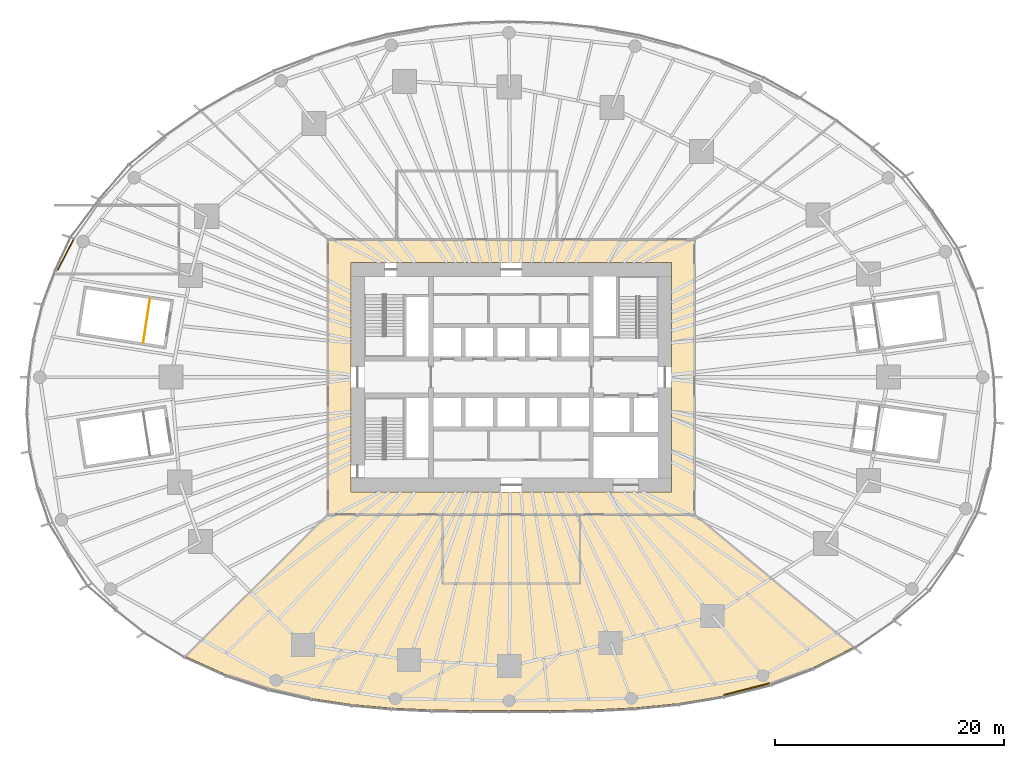
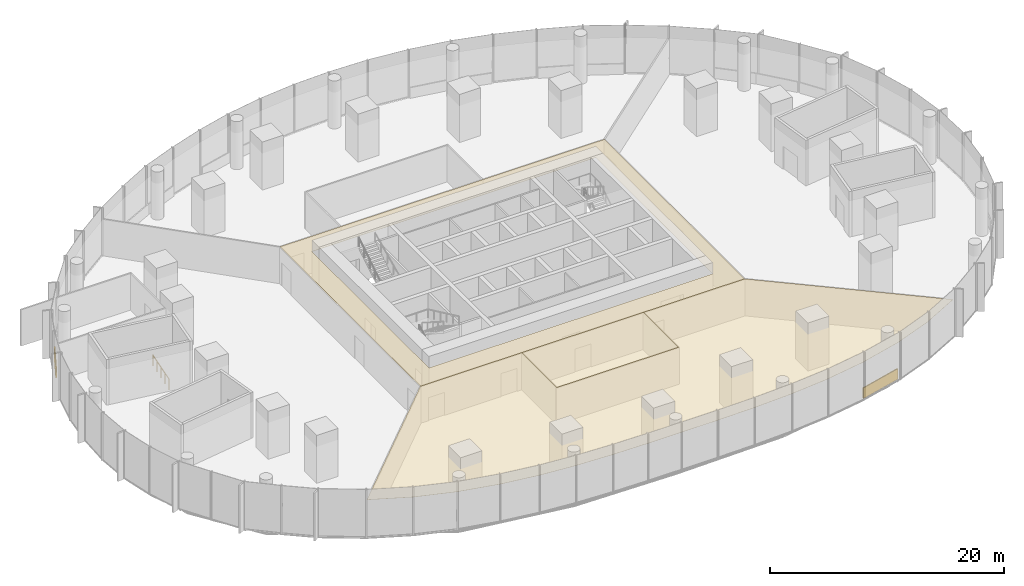
# One storey, part 24 of 27: 5 coverings, 1 railing.
"""IFC4 building model written with IfcOpenShell, lengths in metres."""

from ifc_helpers import new_model, si_unit, direction, frame, origin, origin_2d, place, context, subcontext, project, spatial, polyline, rectangle, circle, outline, extrude, material, layer, layer_set, type_object, element, save


model = new_model("IFC4")

# Units and contexts
model_context = context("Model", 3, precision=1e-05, world=origin(), true_north=direction((0.0, 1.0)))
body_context = subcontext(model_context, "Body", "Model", "MODEL_VIEW")
ifc_project = project(units=[si_unit("LENGTHUNIT", "METRE"), si_unit("AREAUNIT", "SQUARE_METRE"), si_unit("VOLUMEUNIT", "CUBIC_METRE"), si_unit("PLANEANGLEUNIT", "RADIAN"), si_unit("MASSUNIT", "GRAM", prefix="KILO")], contexts=[model_context])

# Site, building, storey
site_placement = place(None, origin())
site = spatial("IfcSite", under=ifc_project, at=site_placement, CompositionType="ELEMENT")
building_placement = place(site_placement, origin())
building = spatial("IfcBuilding", under=site, at=building_placement, Name="Ghaith Harvest Tower", CompositionType="ELEMENT")
storey_placement = place(building_placement, frame((0.0, 0.0, 10.0)))
storey = spatial("IfcBuildingStorey", under=building, at=storey_placement, Name="L02", CompositionType="ELEMENT", Elevation=10.0)

# Coverings
ifc_material_1 = material(Name="Mineral fibre ceiling tile", Category="gypsum")
ifc_layer_1 = layer(ifc_material_1, 0.014892578125)
ifc_layer_set_1 = layer_set([ifc_layer_1], Name="CEILING C3")
covering_type_1 = type_object("IfcCoveringType", Name="CEILING C3", PredefinedType="CEILING", material=ifc_layer_set_1)
covering_1_placement = place(storey_placement, frame((0.0, 0.0, 3.800048828125)))
element("IfcCovering", 1, at=covering_1_placement, inside=storey, type_object=covering_type_1, Name="Ceiling L02-02", PredefinedType="CEILING", context=body_context, shape_type="SweptSolid", body=[
    extrude(outline(polyline([(-6.0, -18.0), (6.0, -18.0), (6.0, -12.0), (-6.0, -12.0), (-6.0, -18.0)])), origin(), (0.0, 0.0, 1.0), 0.014892578125),
])
covering_2_placement = place(storey_placement, frame((0.0, 0.0, 3.800048828125)))
element("IfcCovering", 2, at=covering_2_placement, inside=storey, type_object=covering_type_1, Name="Ceiling L02-C1", PredefinedType="CEILING", context=body_context, shape_type="SweptSolid", body=[
    extrude(outline(polyline([(-16.0, 12.0), (16.0, 12.0), (16.0, -12.0), (-16.0, -12.0), (-16.0, 12.0)]), holes=[polyline([(14.0, -10.0), (14.0, 10.0), (-14.0, 10.0), (-14.0, -10.0), (14.0, -10.0)])]), origin(), (0.0, 0.0, 1.0), 0.014892578125),
])
covering_3_placement = place(storey_placement, frame((0.0, 0.0, 3.800048828125)))
element("IfcCovering", 3, at=covering_3_placement, inside=storey, type_object=covering_type_1, Name="Ceiling L02-S1", PredefinedType="CEILING", context=body_context, shape_type="SweptSolid", body=[
    extrude(outline(polyline([(18.487060546875, -27.833251953125), (14.54638671875, -28.493408203125), (10.789794921875, -28.862548828125), (6.9912109375, -29.043701171875), (3.351806640625, -29.098388671875), (-0.19921875, -29.10009765625), (-3.511474609375, -29.09765625), (-6.903564453125, -29.046142578125), (-10.43310546875, -28.88671875), (-13.8466796875, -28.579345703125), (-17.416748046875, -28.044189453125), (-21.123779296875, -27.19921875), (-24.77880859375, -26.0087890625), (-28.427978515625, -24.373291015625), (-16.0, -12.0), (-6.0, -12.0), (-6.0, -18.0), (6.0, -18.0), (6.0, -12.0), (16.0, -12.0), (29.87744140625, -23.5693359375), (26.25244140625, -25.40869140625), (22.576904296875, -26.77294921875), (18.487060546875, -27.833251953125)])), origin(), (0.0, 0.0, 1.0), 0.014892578125),
])

# Railing
ifc_material_2 = material(Name="Steel, black powder-coated", Category="steel")
railing_type = type_object("IfcRailingType", Name="GUARD GR1", PredefinedType="GUARDRAIL", material=ifc_material_2)
railing_placement = place(storey_placement, frame((-31.52734375, 6.82421875, 0.0)))
element("IfcRailing", 4, at=railing_placement, inside=storey, type_object=railing_type, Name="Guard GR1 at the top landing of stair PS2", PredefinedType="GUARDRAIL", context=body_context, shape_type="SweptSolid", body=[
    extrude(circle(Radius=0.02392578125, at=origin_2d()), frame((0.0, 0.0, 1.076171875), z_axis=(-0.152881461105, -0.988244533934, 0.0), x_axis=(0.988244533934, -0.152881461105, 0.0)), (0.0, 0.0, 1.0), 3.85009765625),
    extrude(circle(Radius=0.02099609375, at=origin_2d()), origin(), (0.0, 0.0, 1.0), 1.052001953125),
    extrude(circle(Radius=0.02099609375, at=origin_2d()), frame((-0.147216796875, -0.951171875, 0.0)), (0.0, 0.0, 1.0), 1.052001953125),
    extrude(circle(Radius=0.02099609375, at=origin_2d()), frame((-0.29443359375, -1.90234375, 0.0)), (0.0, 0.0, 1.0), 1.052001953125),
    extrude(circle(Radius=0.02099609375, at=origin_2d()), frame((-0.44140625, -2.853759765625, 0.0)), (0.0, 0.0, 1.0), 1.052001953125),
    extrude(circle(Radius=0.02099609375, at=origin_2d()), frame((-0.588623046875, -3.804931640625, 0.0)), (0.0, 0.0, 1.0), 1.052001953125),
])

# Coverings
ifc_material_3 = material(Name="Insulated aluminium spandrel panel on steel framing", Category="steel")
ifc_layer_2 = layer(ifc_material_3, 0.10009765625)
ifc_layer_set_2 = layer_set([ifc_layer_2], Name="SLAB EDGE UPSTAND 1100x100")
covering_type_2 = type_object("IfcCoveringType", Name="SLAB EDGE UPSTAND 1100x100", PredefinedType="CLADDING", material=ifc_layer_set_2)
covering_4_placement = place(storey_placement, frame((-38.878662109375, 10.725341796875, 0.0), z_axis=(0.0, 0.0, 1.0), x_axis=(-0.462300465712, -0.886723338704, 0.0)))
element("IfcCovering", 5, at=covering_4_placement, inside=storey, type_object=covering_type_2, Name="Slab edge upstand 1 bay 10 L02", PredefinedType="CLADDING", context=body_context, shape_type="SweptSolid", body=[
    extrude(rectangle(XDim=3.071533203125, YDim=0.10009765625, at=origin_2d()), origin(), (0.0, 0.0, 1.0), 1.10009765625),
])
covering_5_placement = place(storey_placement, frame((20.56787109375, -27.2421875, 0.0), z_axis=(0.0, 0.0, 1.0), x_axis=(0.967989439735, 0.250990925258, 0.0)))
element("IfcCovering", 6, at=covering_5_placement, inside=storey, type_object=covering_type_2, Name="Slab edge upstand 3 bay 17 L02", PredefinedType="CLADDING", context=body_context, shape_type="SweptSolid", body=[
    extrude(rectangle(XDim=4.125, YDim=0.10009765625, at=origin_2d()), origin(), (0.0, 0.0, 1.0), 1.10009765625),
])

save(model, "model.ifc")
